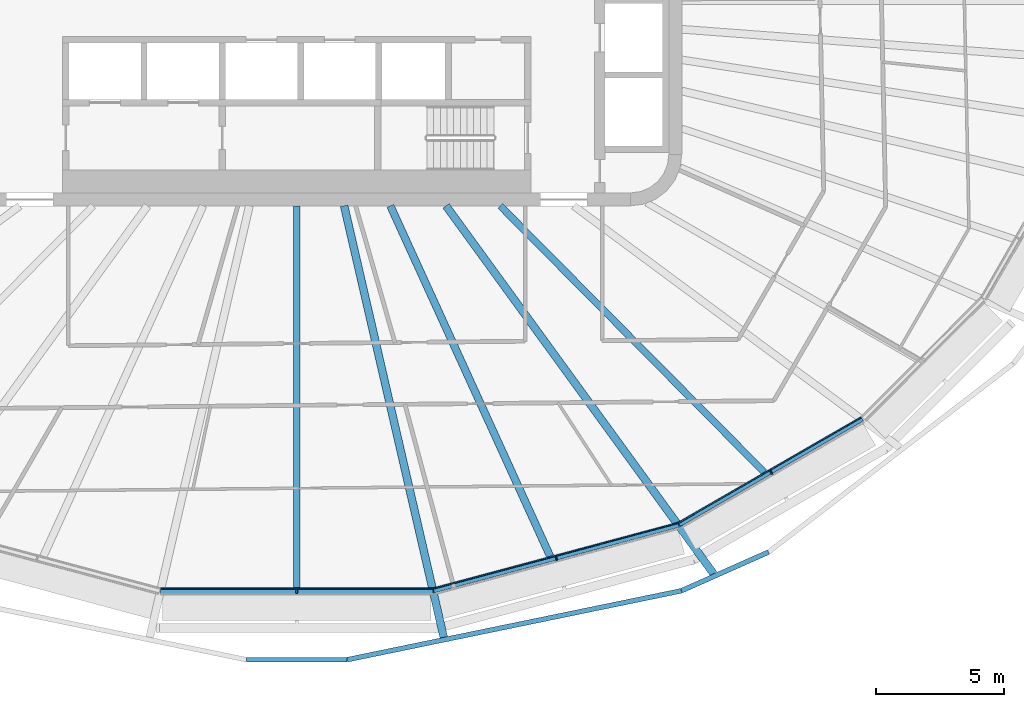
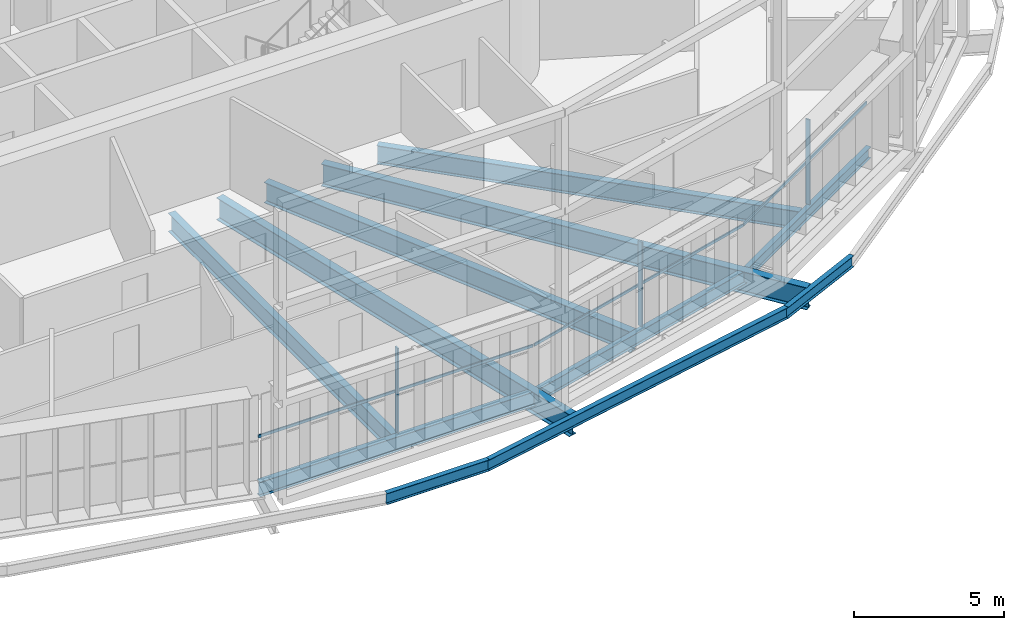
# One storey, part 3 of 23: 11 beams, 6 members, 3 elements without a shape of their own.
"""IFC4 building model written with IfcOpenShell, lengths in metres."""

from ifc_helpers import new_model, si_unit, direction, frame, origin, origin_2d, place, context, subcontext, project, spatial, rectangle, i_section, extrude, material, layer, layer_set, material_profile, profile_set, type_object, element, aggregate, save


model = new_model("IFC4")

# Units and contexts
model_context = context("Model", 3, precision=1e-05, world=origin(), true_north=direction((0.0, 1.0)))
body_context = subcontext(model_context, "Body", "Model", "MODEL_VIEW")
ifc_project = project(units=[si_unit("LENGTHUNIT", "METRE"), si_unit("AREAUNIT", "SQUARE_METRE"), si_unit("VOLUMEUNIT", "CUBIC_METRE"), si_unit("PLANEANGLEUNIT", "RADIAN"), si_unit("MASSUNIT", "GRAM", prefix="KILO")], contexts=[model_context])

# Site, building, storey
site_placement = place(None, origin())
site = spatial("IfcSite", under=ifc_project, at=site_placement, CompositionType="ELEMENT")
building_placement = place(site_placement, origin())
building = spatial("IfcBuilding", under=site, at=building_placement, Name="Sahrelin Media Tower", CompositionType="ELEMENT")
storey_placement = place(building_placement, frame((0.0, 0.0, 185.60009765625)))
storey = spatial("IfcBuildingStorey", under=building, at=storey_placement, Name="L39", CompositionType="ELEMENT", Elevation=185.60009765625)

# Beams
ifc_material_1 = material(Name="Steel S355", Category="steel")
ifc_material_profile_1 = material_profile(ifc_material_1, i_section(OverallWidth=0.1904296875, OverallDepth=0.45703125, WebThickness=0.009033203125, FlangeThickness=0.014404296875, FilletRadius=0.01025390625, at=origin_2d()), Name="UB 457x191x74")
ifc_profile_set_1 = profile_set([ifc_material_profile_1], Name="Steel S355")
beam_type_1 = type_object("IfcBeamType", Name="Edge beam EB5", PredefinedType="BEAM", material=ifc_profile_set_1)
beam_1_placement = place(storey_placement, frame((22.029296875, -16.292236328125, -0.378662109375), z_axis=(-0.8660092336, -0.500028006535, 0.0), x_axis=(0.500028006535, -0.8660092336, 0.0)))
element("IfcBeam", 1, at=beam_1_placement, inside=storey, type_object=beam_type_1, Name="Edge beam L39-05", PredefinedType="BEAM", context=body_context, shape_type="SweptSolid", body=[
    extrude(i_section(OverallWidth=0.1904296875, OverallDepth=0.45703125, WebThickness=0.009033203125, FlangeThickness=0.014404296875, FilletRadius=0.01025390625, at=origin_2d()), origin(), (0.0, 0.0, 1.0), 8.23046875),
])
ifc_material_profile_2 = material_profile(ifc_material_1, i_section(OverallWidth=0.208740234375, OverallDepth=0.5283203125, WebThickness=0.009521484375, FlangeThickness=0.01318359375, FilletRadius=0.0126953125, at=origin_2d()), Name="UB 533x210x82")
ifc_profile_set_2 = profile_set([ifc_material_profile_2], Name="Steel S355")
beam_type_2 = type_object("IfcBeamType", Name="Edge beam EB6", PredefinedType="BEAM", material=ifc_profile_set_2)
beam_2_placement = place(storey_placement, frame((14.875, -20.418701171875, -0.414306640625), z_axis=(-0.965928634298, -0.258808565244, 0.0), x_axis=(0.258808565244, -0.965928634298, 0.0)))
element("IfcBeam", 2, at=beam_2_placement, inside=storey, type_object=beam_type_2, Name="Edge beam L39-06", PredefinedType="BEAM", context=body_context, shape_type="SweptSolid", body=[
    extrude(i_section(OverallWidth=0.208740234375, OverallDepth=0.5283203125, WebThickness=0.009521484375, FlangeThickness=0.01318359375, FilletRadius=0.0126953125, at=origin_2d()), origin(), (0.0, 0.0, 1.0), 9.87744140625),
])
ifc_material_profile_3 = material_profile(ifc_material_1, i_section(OverallWidth=0.2275390625, OverallDepth=0.6025390625, WebThickness=0.010498046875, FlangeThickness=0.014892578125, FilletRadius=0.0126953125, at=origin_2d()), Name="UB 610x229x101")
ifc_profile_set_3 = profile_set([ifc_material_profile_3], Name="Steel S355")
beam_type_3 = type_object("IfcBeamType", Name="Edge beam EB7", PredefinedType="BEAM", material=ifc_profile_set_3)
beam_3_placement = place(storey_placement, frame((5.305419921875, -22.97900390625, -0.451416015625), z_axis=(-1.0, 0.0, 0.0), x_axis=(0.0, -1.0, 0.0)))
element("IfcBeam", 3, at=beam_3_placement, inside=storey, type_object=beam_type_3, Name="Edge beam L39-07", PredefinedType="BEAM", context=body_context, shape_type="SweptSolid", body=[
    extrude(i_section(OverallWidth=0.2275390625, OverallDepth=0.6025390625, WebThickness=0.010498046875, FlangeThickness=0.014892578125, FilletRadius=0.0126953125, at=origin_2d()), origin(), (0.0, 0.0, 1.0), 10.61083984375),
])

# Curtain wall, member
ifc_material_2 = material(Name="Champagne anodised aluminium 6063-T6", Category="aluminium")
ifc_layer = layer(ifc_material_2, 0.14990234375)
ifc_layer_set = layer_set([ifc_layer], Name="Tower ribbon curtain wall")
curtain_wall_type = type_object("IfcCurtainWallType", Name="Tower ribbon curtain wall", PredefinedType="NOTDEFINED", material=ifc_layer_set)
curtain_wall_1_placement = place(storey_placement, frame((0.0, -23.12890625, 0.0), z_axis=(0.0, 0.0, 1.0), x_axis=(1.0, 0.0, 0.0)))
curtain_wall_1 = element("IfcCurtainWall", 4, at=curtain_wall_1_placement, inside=storey, type_object=curtain_wall_type, Name="L39:CW:L39-18", PredefinedType="NOTDEFINED")
ifc_material_profile_4 = material_profile(ifc_material_2, rectangle(XDim=0.06005859375, YDim=0.175048828125, at=origin_2d()), Name="Mullion 60x175")
ifc_profile_set_4 = profile_set([ifc_material_profile_4], Name="Champagne anodised aluminium 6063-T6")
member_type_1 = type_object("IfcMemberType", Name="Mullion 60x175 CW1B", PredefinedType="MULLION", material=ifc_profile_set_4)
member_1_placement = place(storey_placement, frame((0.0, -23.021484375, 0.0), z_axis=(0.0, 0.0, 1.0), x_axis=(1.0, 0.0, 0.0)))
member_1 = element("IfcMember", 5, at=member_1_placement, type_object=member_type_1, Name="L39:CWM:L39-18", PredefinedType="MULLION", context=body_context, shape_type="SweptSolid", body=[
    extrude(rectangle(XDim=0.06005859375, YDim=0.175048828125, at=origin_2d()), origin(), (0.0, 0.0, 1.0), 3.448486328125),
])

curtain_wall_2_placement = place(storey_placement, frame((10.143310546875, -21.841796875, 0.0), z_axis=(0.0, 0.0, 1.0), x_axis=(1.0, 0.0, 0.0)))
curtain_wall_2 = element("IfcCurtainWall", 6, at=curtain_wall_2_placement, inside=storey, type_object=curtain_wall_type, Name="L39:CW:L39-19", PredefinedType="NOTDEFINED")
member_2_placement = place(storey_placement, frame((10.115478515625, -21.73779296875, 0.0), z_axis=(0.0, 0.0, 1.0), x_axis=(0.965924922834, 0.258822416818, 0.0)))
member_2 = element("IfcMember", 7, at=member_2_placement, type_object=member_type_1, Name="L39:CWM:L39-19", PredefinedType="MULLION", context=body_context, shape_type="SweptSolid", body=[
    extrude(rectangle(XDim=0.06005859375, YDim=0.175048828125, at=origin_2d()), origin(), (0.0, 0.0, 1.0), 3.448486328125),
])

curtain_wall_3_placement = place(storey_placement, frame((18.540283203125, -18.479736328125, 0.0), z_axis=(0.0, 0.0, 1.0), x_axis=(1.0, 0.0, 0.0)))
curtain_wall_3 = element("IfcCurtainWall", 8, at=curtain_wall_3_placement, inside=storey, type_object=curtain_wall_type, Name="L39:CW:L39-20", PredefinedType="NOTDEFINED")
member_3_placement = place(storey_placement, frame((18.48681640625, -18.38671875, 0.0), z_axis=(0.0, 0.0, 1.0), x_axis=(0.86602365845, 0.500003022996, 0.0)))
member_3 = element("IfcMember", 9, at=member_3_placement, type_object=member_type_1, Name="L39:CWM:L39-20", PredefinedType="MULLION", context=body_context, shape_type="SweptSolid", body=[
    extrude(rectangle(XDim=0.06005859375, YDim=0.175048828125, at=origin_2d()), origin(), (0.0, 0.0, 1.0), 3.448486328125),
])

# Beams
ifc_material_profile_5 = material_profile(ifc_material_1, i_section(OverallWidth=0.30322265625, OverallDepth=0.903076171875, WebThickness=0.01513671875, FlangeThickness=0.020263671875, FilletRadius=0.01904296875, at=origin_2d()), Name="UB 914x305x201")
ifc_profile_set_5 = profile_set([ifc_material_profile_5], Name="Steel S355")
beam_type_4 = type_object("IfcBeamType", Name="Radial primary beam PB11", PredefinedType="BEAM", material=ifc_profile_set_5)
beam_4_placement = place(storey_placement, frame((1.846923828125, -8.0, -0.6015625), z_axis=(0.224939098631, -0.974372824902, 0.0), x_axis=(0.974372824902, 0.224939098631, 0.0)))
element("IfcBeam", 10, at=beam_4_placement, inside=storey, type_object=beam_type_4, Name="Radial beam L39-19", PredefinedType="BEAM", context=body_context, shape_type="SweptSolid", body=[
    extrude(i_section(OverallWidth=0.30322265625, OverallDepth=0.903076171875, WebThickness=0.01513671875, FlangeThickness=0.020263671875, FilletRadius=0.01904296875, at=origin_2d()), origin(), (0.0, 0.0, 1.0), 17.249755859375),
])
beam_5_placement = place(storey_placement, frame((5.8173828125, -8.0, -0.6015625), z_axis=(0.588118455861, -0.808774802943, 0.0), x_axis=(0.808774802943, 0.588118455861, 0.0)))
element("IfcBeam", 11, at=beam_5_placement, inside=storey, type_object=beam_type_4, Name="Radial beam L39-20", PredefinedType="BEAM", context=body_context, shape_type="SweptSolid", body=[
    extrude(i_section(OverallWidth=0.30322265625, OverallDepth=0.903076171875, WebThickness=0.01513671875, FlangeThickness=0.020263671875, FilletRadius=0.01904296875, at=origin_2d()), origin(), (0.0, 0.0, 1.0), 17.722900390625),
])
ifc_material_profile_6 = material_profile(ifc_material_1, i_section(OverallWidth=0.291748046875, OverallDepth=0.8349609375, WebThickness=0.013916015625, FlangeThickness=0.018798828125, FilletRadius=0.017822265625, at=origin_2d()), Name="UB 838x292x176")
ifc_profile_set_6 = profile_set([ifc_material_profile_6], Name="Steel S355")
beam_type_5 = type_object("IfcBeamType", Name="Radial secondary beam SB10", PredefinedType="BEAM", material=ifc_profile_set_6)
beam_6_placement = place(storey_placement, frame((3.647705078125, -8.0, -0.567626953125), z_axis=(0.414888908569, -0.909872075374, 0.0), x_axis=(0.909872075374, 0.414888908569, 0.0)))
element("IfcBeam", 12, at=beam_6_placement, inside=storey, type_object=beam_type_5, Name="Secondary beam L39-19", PredefinedType="BEAM", context=body_context, shape_type="SweptSolid", body=[
    extrude(i_section(OverallWidth=0.291748046875, OverallDepth=0.8349609375, WebThickness=0.013916015625, FlangeThickness=0.018798828125, FilletRadius=0.017822265625, at=origin_2d()), origin(), (0.0, 0.0, 1.0), 15.003173828125),
])
ifc_material_profile_7 = material_profile(ifc_material_1, i_section(OverallWidth=0.26513671875, OverallDepth=0.75390625, WebThickness=0.0126953125, FlangeThickness=0.017578125, FilletRadius=0.0166015625, at=origin_2d()), Name="UB 762x267x147")
ifc_profile_set_7 = profile_set([ifc_material_profile_7], Name="Steel S355")
beam_type_6 = type_object("IfcBeamType", Name="Radial secondary beam SB9", PredefinedType="BEAM", material=ifc_profile_set_7)
beam_7_placement = place(storey_placement, frame((0.0, -8.0, -0.527099609375), z_axis=(0.0, -1.0, 0.0), x_axis=(1.0, 0.0, 0.0)))
element("IfcBeam", 13, at=beam_7_placement, inside=storey, type_object=beam_type_6, Name="Secondary beam L39-18", PredefinedType="BEAM", context=body_context, shape_type="SweptSolid", body=[
    extrude(i_section(OverallWidth=0.26513671875, OverallDepth=0.75390625, WebThickness=0.0126953125, FlangeThickness=0.017578125, FilletRadius=0.0166015625, at=origin_2d()), origin(), (0.0, 0.0, 1.0), 14.864990234375),
])
beam_8_placement = place(storey_placement, frame((7.927490234375, -8.0, -0.527099609375), z_axis=(0.70389286124, -0.710306159269, 0.0), x_axis=(0.710306159269, 0.70389286124, 0.0)))
element("IfcBeam", 14, at=beam_8_placement, inside=storey, type_object=beam_type_6, Name="Secondary beam L39-20", PredefinedType="BEAM", context=body_context, shape_type="SweptSolid", body=[
    extrude(i_section(OverallWidth=0.26513671875, OverallDepth=0.75390625, WebThickness=0.0126953125, FlangeThickness=0.017578125, FilletRadius=0.0166015625, at=origin_2d()), origin(), (0.0, 0.0, 1.0), 14.6181640625),
])
ifc_material_profile_8 = material_profile(ifc_material_1, i_section(OverallWidth=0.1904296875, OverallDepth=0.45703125, WebThickness=0.009033203125, FlangeThickness=0.014404296875, FilletRadius=0.01025390625, at=origin_2d()), Name="UB 457x191x74")
ifc_profile_set_8 = profile_set([ifc_material_profile_8], Name="Steel S355")
beam_type_7 = type_object("IfcBeamType", Name="Tie chord TC5", PredefinedType="BEAM", material=ifc_profile_set_8)
beam_9_placement = place(storey_placement, frame((-1.958251953125, -25.681884765625, -0.378662109375), z_axis=(1.0, 0.0, 0.0), x_axis=(0.0, 1.0, 0.0)))
element("IfcBeam", 15, at=beam_9_placement, inside=storey, type_object=beam_type_7, Name="Tie chord L39-18", PredefinedType="BEAM", context=body_context, shape_type="SweptSolid", body=[
    extrude(i_section(OverallWidth=0.1904296875, OverallDepth=0.45703125, WebThickness=0.009033203125, FlangeThickness=0.014404296875, FilletRadius=0.01025390625, at=origin_2d()), origin(), (0.0, 0.0, 1.0), 3.91650390625),
])
beam_10_placement = place(storey_placement, frame((1.958251953125, -25.681884765625, -0.378662109375), z_axis=(0.979389291398, 0.201981721684, 0.0), x_axis=(-0.201981721684, 0.979389291398, 0.0)))
element("IfcBeam", 16, at=beam_10_placement, inside=storey, type_object=beam_type_7, Name="Tie chord L39-19", PredefinedType="BEAM", context=body_context, shape_type="SweptSolid", body=[
    extrude(i_section(OverallWidth=0.1904296875, OverallDepth=0.45703125, WebThickness=0.009033203125, FlangeThickness=0.014404296875, FilletRadius=0.01025390625, at=origin_2d()), origin(), (0.0, 0.0, 1.0), 13.30322265625),
])
beam_11_placement = place(storey_placement, frame((14.9873046875, -22.994873046875, -0.378662109375), z_axis=(0.913827822394, 0.406101848086, 0.0), x_axis=(-0.406101848086, 0.913827822394, 0.0)))
element("IfcBeam", 17, at=beam_11_placement, inside=storey, type_object=beam_type_7, Name="Tie chord L39-20", PredefinedType="BEAM", context=body_context, shape_type="SweptSolid", body=[
    extrude(i_section(OverallWidth=0.1904296875, OverallDepth=0.45703125, WebThickness=0.009033203125, FlangeThickness=0.014404296875, FilletRadius=0.01025390625, at=origin_2d()), origin(), (0.0, 0.0, 1.0), 3.711669921875),
])

# Member
ifc_material_profile_9 = material_profile(ifc_material_2, rectangle(XDim=0.050048828125, YDim=0.110107421875, at=origin_2d()), Name="Transom 50x110")
ifc_profile_set_9 = profile_set([ifc_material_profile_9], Name="Champagne anodised aluminium 6063-T6")
member_type_2 = type_object("IfcMemberType", Name="Transom 50x110 CW1B", PredefinedType="USERDEFINED", material=ifc_profile_set_9)
member_4_placement = place(storey_placement, frame((-5.28955078125, -22.908935546875, 1.599853515625), z_axis=(1.0, 0.0, 0.0), x_axis=(0.0, 1.0, 0.0)))
member_4 = element("IfcMember", 18, at=member_4_placement, type_object=member_type_2, Name="L39:CWT:L39-18", ObjectType="TRANSOM", PredefinedType="USERDEFINED", context=body_context, shape_type="SweptSolid", body=[
    extrude(rectangle(XDim=0.050048828125, YDim=0.110107421875, at=origin_2d()), origin(), (0.0, 0.0, 1.0), 10.5791015625),
])

aggregate(curtain_wall_1, [member_1, member_4])

member_5_placement = place(storey_placement, frame((5.3310546875, -22.903564453125, 1.599853515625), z_axis=(0.965921045244, 0.258836887547, 0.0), x_axis=(-0.258836887547, 0.965921045244, 0.0)))
member_5 = element("IfcMember", 19, at=member_5_placement, type_object=member_type_2, Name="L39:CWT:L39-19", ObjectType="TRANSOM", PredefinedType="USERDEFINED", context=body_context, shape_type="SweptSolid", body=[
    extrude(rectangle(XDim=0.050048828125, YDim=0.110107421875, at=origin_2d()), origin(), (0.0, 0.0, 1.0), 9.84619140625),
])

aggregate(curtain_wall_2, [member_2, member_5])

member_6_placement = place(storey_placement, frame((14.880126953125, -20.339111328125, 1.599853515625), z_axis=(0.866020958405, 0.500007699544, 0.0), x_axis=(-0.500007699544, 0.866020958405, 0.0)))
member_6 = element("IfcMember", 20, at=member_6_placement, type_object=member_type_2, Name="L39:CWT:L39-20", ObjectType="TRANSOM", PredefinedType="USERDEFINED", context=body_context, shape_type="SweptSolid", body=[
    extrude(rectangle(XDim=0.050048828125, YDim=0.110107421875, at=origin_2d()), origin(), (0.0, 0.0, 1.0), 8.198974609375),
])

aggregate(curtain_wall_3, [member_3, member_6])

save(model, "model.ifc")
